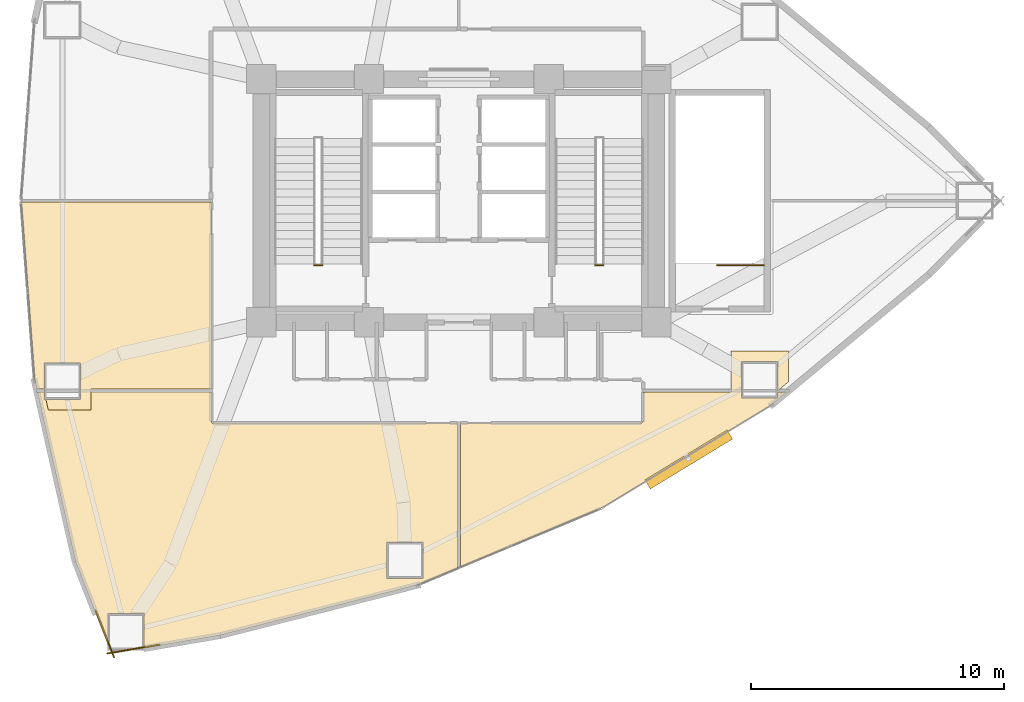
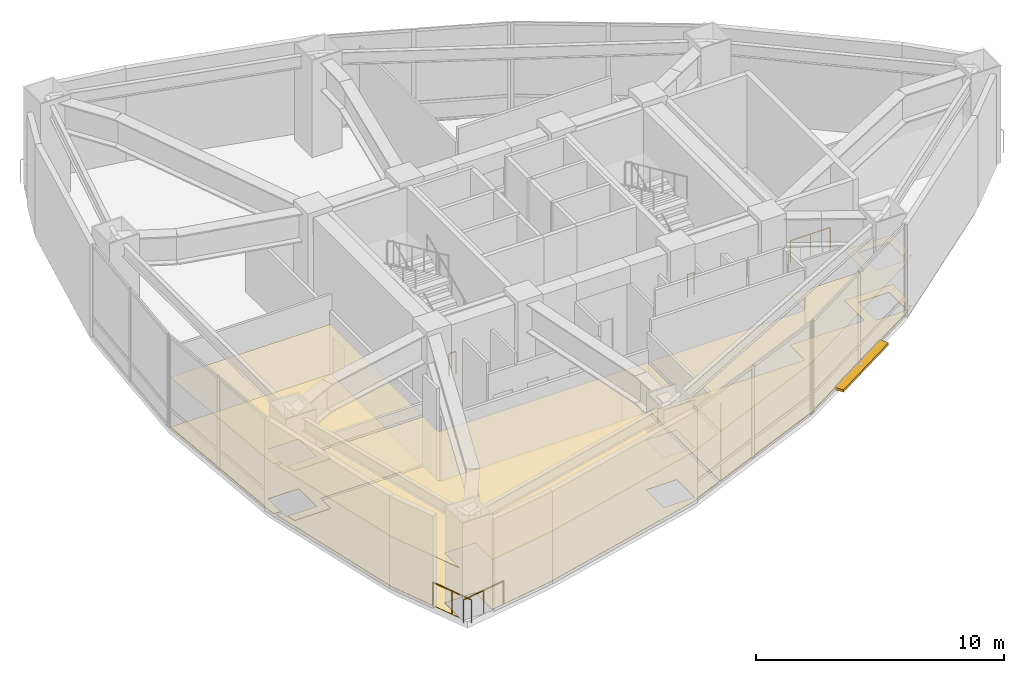
# One storey, part 18 of 19: 6 coverings, 5 railings, 1 shading device.
"""IFC4 building model written with IfcOpenShell, lengths in metres."""

from ifc_helpers import new_model, si_unit, direction, frame, origin, origin_2d, place, context, subcontext, project, spatial, polyline, rectangle, circle, outline, extrude, material, layer, layer_set, type_object, element, save


model = new_model("IFC4")

# Units and contexts
model_context = context("Model", 3, precision=1e-05, world=origin(), true_north=direction((0.0, 1.0)))
body_context = subcontext(model_context, "Body", "Model", "MODEL_VIEW")
ifc_project = project(units=[si_unit("LENGTHUNIT", "METRE"), si_unit("AREAUNIT", "SQUARE_METRE"), si_unit("VOLUMEUNIT", "CUBIC_METRE"), si_unit("PLANEANGLEUNIT", "RADIAN"), si_unit("MASSUNIT", "GRAM", prefix="KILO")], contexts=[model_context])

# Site, building, storey
site_placement = place(None, origin())
site = spatial("IfcSite", under=ifc_project, at=site_placement, CompositionType="ELEMENT")
building_placement = place(site_placement, origin())
building = spatial("IfcBuilding", under=site, at=building_placement, Name="Menara Vayukalpa", CompositionType="ELEMENT")
storey_placement = place(building_placement, frame((0.0, 0.0, 22.800048828125)))
storey = spatial("IfcBuildingStorey", under=building, at=storey_placement, Name="L04", CompositionType="ELEMENT", Elevation=22.800048828125)

# Coverings
ifc_material_1 = material(Name="Mineral Fibre Acoustic Ceiling Tile", Category="masonry")
ifc_layer_1 = layer(ifc_material_1, 0.02490234375)
ifc_layer_set_1 = layer_set([ifc_layer_1], Name="Mineral Fibre Acoustic Ceiling Tile")
covering_type_1 = type_object("IfcCoveringType", Name="COV-CLG1", PredefinedType="CEILING", material=ifc_layer_set_1)
covering_1_placement = place(storey_placement, frame((0.0, 0.0, 2.449951171875)))
element("IfcCovering", 1, at=covering_1_placement, inside=storey, type_object=covering_type_1, Name="L04 Corporate Learning Commons Acoustic Ceiling", PredefinedType="CEILING", context=body_context, shape_type="SweptSolid", body=[
    extrude(outline(polyline([(8.940185546875, 14.56005859375), (8.939208984375, 14.56005859375), (8.938232421875, 14.560302734375), (8.937255859375, 14.560302734375), (8.936279296875, 14.560791015625), (8.935546875, 14.56103515625), (8.934814453125, 14.5615234375), (8.93408203125, 14.562255859375), (8.93310546875, 14.562744140625), (8.9326171875, 14.5634765625), (8.931884765625, 14.564208984375), (8.931396484375, 14.565185546875), (8.930908203125, 14.56591796875), (8.9306640625, 14.56689453125), (8.930419921875, 14.56787109375), (8.862060546875, 14.871826171875), (8.86181640625, 14.873291015625), (8.33251953125, 21.92919921875), (8.33251953125, 21.93017578125), (8.332763671875, 21.93115234375), (8.332763671875, 21.93212890625), (8.3330078125, 21.93310546875), (8.33349609375, 21.93408203125), (8.333984375, 21.934814453125), (8.33447265625, 21.935791015625), (8.3349609375, 21.936279296875), (8.335693359375, 21.93701171875), (8.336181640625, 21.937744140625), (8.337158203125, 21.9384765625), (8.337890625, 21.93896484375), (8.3388671875, 21.939208984375), (8.339599609375, 21.939697265625), (8.3408203125, 21.939697265625), (8.341552734375, 21.93994140625), (8.342529296875, 21.93994140625), (15.820068359375, 21.93994140625), (15.821044921875, 21.93994140625), (15.822021484375, 21.939697265625), (15.822998046875, 21.939697265625), (15.82373046875, 21.939208984375), (15.82470703125, 21.938720703125), (15.82568359375, 21.938232421875), (15.826416015625, 21.937744140625), (15.8271484375, 21.93701171875), (15.82763671875, 21.936279296875), (15.828369140625, 21.935546875), (15.828857421875, 21.934814453125), (15.8291015625, 21.933837890625), (15.82958984375, 21.932861328125), (15.829833984375, 21.931884765625), (15.830078125, 21.930908203125), (15.830078125, 21.929931640625), (15.830078125, 14.570068359375), (15.830078125, 14.569091796875), (15.829833984375, 14.568115234375), (15.82958984375, 14.567138671875), (15.8291015625, 14.566162109375), (15.828857421875, 14.565185546875), (15.828369140625, 14.564453125), (15.82763671875, 14.563720703125), (15.8271484375, 14.56298828125), (15.826416015625, 14.562255859375), (15.82568359375, 14.561767578125), (15.82470703125, 14.561279296875), (15.82373046875, 14.560791015625), (15.822998046875, 14.560302734375), (15.822021484375, 14.560302734375), (15.821044921875, 14.56005859375), (15.820068359375, 14.56005859375), (11.0869140625, 14.56005859375), (11.0869140625, 13.736083984375), (9.394287109375, 13.736083984375), (9.2998046875, 14.156005859375), (10.6669921875, 14.156005859375), (10.6669921875, 15.586181640625), (9.237060546875, 15.586181640625), (9.237060546875, 14.435546875), (9.208984375, 14.56005859375), (8.940185546875, 14.56005859375)])), origin(), (0.0, 0.0, 1.0), 0.02490234375),
])
covering_2_placement = place(storey_placement, frame((0.0, 0.0, 2.449951171875)))
element("IfcCovering", 2, at=covering_2_placement, inside=storey, type_object=covering_type_1, Name="L04 Project Collaboration Workplace Acoustic Ceiling", PredefinedType="CEILING", context=body_context, shape_type="SweptSolid", body=[
    extrude(outline(polyline([(16.171142578125, 4.840087890625), (13.17529296875, 4.33154296875), (13.17529296875, 5.696044921875), (11.745361328125, 5.696044921875), (11.745361328125, 4.486328125), (10.4658203125, 7.744384765625), (10.465576171875, 7.7451171875), (10.46533203125, 7.745849609375), (8.9619140625, 14.427734375), (8.9619140625, 14.4287109375), (8.961669921875, 14.4296875), (8.961669921875, 14.430908203125), (8.9619140625, 14.431884765625), (8.962158203125, 14.4326171875), (8.96240234375, 14.43359375), (8.962890625, 14.4345703125), (8.96337890625, 14.435302734375), (8.9638671875, 14.436279296875), (8.964599609375, 14.43701171875), (8.96533203125, 14.437744140625), (8.966064453125, 14.438232421875), (8.966796875, 14.438720703125), (8.9677734375, 14.439208984375), (8.96875, 14.439697265625), (8.9697265625, 14.439697265625), (8.970703125, 14.43994140625), (8.9716796875, 14.43994140625), (9.236083984375, 14.43994140625), (9.129638671875, 14.91259765625), (9.047607421875, 16.006103515625), (11.0869140625, 16.006103515625), (11.0869140625, 14.43994140625), (15.820068359375, 14.43994140625), (15.821044921875, 14.43994140625), (15.822021484375, 14.439697265625), (15.822998046875, 14.439697265625), (15.82373046875, 14.439208984375), (15.82470703125, 14.438720703125), (15.82568359375, 14.438232421875), (15.826416015625, 14.437744140625), (15.8271484375, 14.43701171875), (15.82763671875, 14.436279296875), (15.828369140625, 14.435546875), (15.828857421875, 14.434814453125), (15.8291015625, 14.433837890625), (15.82958984375, 14.432861328125), (15.829833984375, 14.431884765625), (15.830078125, 14.430908203125), (15.830078125, 14.429931640625), (15.830078125, 13.290283203125), (15.830322265625, 13.283203125), (15.831298828125, 13.2763671875), (15.8330078125, 13.269775390625), (15.835205078125, 13.26318359375), (15.838134765625, 13.257080078125), (15.841796875, 13.251220703125), (15.845947265625, 13.24560546875), (15.8505859375, 13.240478515625), (15.85546875, 13.236083984375), (15.861083984375, 13.231689453125), (15.866943359375, 13.228271484375), (15.873291015625, 13.225341796875), (15.879638671875, 13.222900390625), (15.88623046875, 13.22119140625), (15.893310546875, 13.220458984375), (15.900390625, 13.219970703125), (25.530029296875, 13.219970703125), (25.531005859375, 13.219970703125), (25.531982421875, 13.2197265625), (25.532958984375, 13.219482421875), (25.53369140625, 13.21923828125), (25.53466796875, 13.21875), (25.53564453125, 13.21826171875), (25.536376953125, 13.2177734375), (25.537109375, 13.217041015625), (25.53759765625, 13.21630859375), (25.538330078125, 13.215576171875), (25.538818359375, 13.214599609375), (25.539306640625, 13.2138671875), (25.53955078125, 13.212890625), (25.539794921875, 13.2119140625), (25.5400390625, 13.2109375), (25.5400390625, 13.2099609375), (25.5400390625, 7.4921875), (25.5400390625, 7.4912109375), (25.539794921875, 7.490234375), (25.53955078125, 7.4892578125), (25.539306640625, 7.48828125), (25.538818359375, 7.487548828125), (25.538330078125, 7.48681640625), (25.53759765625, 7.48583984375), (25.537109375, 7.485107421875), (25.536376953125, 7.484619140625), (25.53564453125, 7.48388671875), (25.53466796875, 7.4833984375), (25.533935546875, 7.48291015625), (23.972412109375, 6.829833984375), (23.970947265625, 6.829345703125), (16.171875, 4.84033203125), (16.171142578125, 4.840087890625)]), holes=[polyline([(24.190673828125, 8.51513671875), (22.760498046875, 8.51513671875), (22.760498046875, 7.085205078125), (24.190673828125, 7.085205078125), (24.190673828125, 8.51513671875)]), polyline([(10.6669921875, 15.586181640625), (9.237060546875, 15.586181640625), (9.237060546875, 14.156005859375), (10.6669921875, 14.156005859375), (10.6669921875, 15.586181640625)])]), origin(), (0.0, 0.0, 1.0), 0.02490234375),
])
covering_3_placement = place(storey_placement, frame((0.0, 0.0, 2.449951171875)))
element("IfcCovering", 3, at=covering_3_placement, inside=storey, type_object=covering_type_1, Name="L04 Commercial Kitchen and Servery Acoustic Ceiling", PredefinedType="CEILING", context=body_context, shape_type="SweptSolid", body=[
    extrude(outline(polyline([(31.236083984375, 9.8681640625), (25.673828125, 7.54150390625), (25.6728515625, 7.541259765625), (25.672119140625, 7.541015625), (25.6708984375, 7.541015625), (25.669921875, 7.540771484375), (25.6689453125, 7.540771484375), (25.668212890625, 7.541015625), (25.6669921875, 7.541259765625), (25.666259765625, 7.54150390625), (25.665283203125, 7.5419921875), (25.66455078125, 7.54248046875), (25.663818359375, 7.543212890625), (25.662841796875, 7.543701171875), (25.662353515625, 7.54443359375), (25.66162109375, 7.545166015625), (25.6611328125, 7.546142578125), (25.660888671875, 7.547119140625), (25.660400390625, 7.5478515625), (25.66015625, 7.548828125), (25.659912109375, 7.5498046875), (25.659912109375, 7.55078125), (25.659912109375, 13.2099609375), (25.659912109375, 13.2109375), (25.66015625, 13.2119140625), (25.660400390625, 13.212890625), (25.660888671875, 13.2138671875), (25.6611328125, 13.214599609375), (25.66162109375, 13.215576171875), (25.662353515625, 13.21630859375), (25.662841796875, 13.217041015625), (25.663818359375, 13.2177734375), (25.664306640625, 13.21826171875), (25.665283203125, 13.21875), (25.666259765625, 13.21923828125), (25.6669921875, 13.219482421875), (25.66796875, 13.2197265625), (25.6689453125, 13.219970703125), (25.669921875, 13.219970703125), (32.7998046875, 13.219970703125), (32.806884765625, 13.220458984375), (32.813720703125, 13.22119140625), (32.8203125, 13.222900390625), (32.826904296875, 13.225341796875), (32.8330078125, 13.228271484375), (32.8388671875, 13.231689453125), (32.844482421875, 13.236083984375), (32.849609375, 13.240478515625), (32.85400390625, 13.24560546875), (32.858154296875, 13.251220703125), (32.86181640625, 13.257080078125), (32.86474609375, 13.26318359375), (32.866943359375, 13.269775390625), (32.86865234375, 13.2763671875), (32.86962890625, 13.283203125), (32.8701171875, 13.290283203125), (32.8701171875, 14.429931640625), (32.8701171875, 14.430908203125), (32.8701171875, 14.431884765625), (32.870361328125, 14.432861328125), (32.870849609375, 14.433837890625), (32.87109375, 14.434814453125), (32.87158203125, 14.435546875), (32.872314453125, 14.436279296875), (32.872802734375, 14.43701171875), (32.873779296875, 14.437744140625), (32.87451171875, 14.438232421875), (32.875244140625, 14.438720703125), (32.876220703125, 14.439208984375), (32.877197265625, 14.439697265625), (32.8779296875, 14.439697265625), (32.87890625, 14.43994140625), (32.8798828125, 14.43994140625), (36.339111328125, 14.43994140625), (36.339111328125, 16.064208984375), (38.60888671875, 16.064208984375), (38.60888671875, 14.83984375), (38.18896484375, 14.49169921875), (38.18896484375, 15.64404296875), (36.759033203125, 15.64404296875), (36.759033203125, 14.214111328125), (38.18896484375, 14.214111328125), (38.18896484375, 14.43994140625), (38.52197265625, 14.43994140625), (38.52294921875, 14.43994140625), (38.52392578125, 14.439697265625), (38.52490234375, 14.439697265625), (38.52587890625, 14.439208984375), (38.526611328125, 14.438720703125), (38.527587890625, 14.438232421875), (38.5283203125, 14.437744140625), (38.529052734375, 14.43701171875), (38.52978515625, 14.436279296875), (38.5302734375, 14.435546875), (38.53076171875, 14.434814453125), (38.53125, 14.433837890625), (38.531494140625, 14.432861328125), (38.53173828125, 14.431884765625), (38.531982421875, 14.430908203125), (38.531982421875, 14.429931640625), (38.531982421875, 14.42919921875), (38.53173828125, 14.427978515625), (38.531494140625, 14.427001953125), (38.53125, 14.42626953125), (38.53076171875, 14.42529296875), (38.5302734375, 14.424560546875), (38.52978515625, 14.423583984375), (38.529052734375, 14.423095703125), (38.5283203125, 14.42236328125), (37.968017578125, 13.95751953125), (37.966796875, 13.956787109375), (31.2373046875, 9.868896484375), (31.23681640625, 9.868408203125), (31.236083984375, 9.8681640625)])), origin(), (0.0, 0.0, 1.0), 0.02490234375),
])
ifc_material_2 = material(Name="Porcelain Stoneware Floor Tile", Category="masonry")
ifc_layer_2 = layer(ifc_material_2, 0.02001953125)
ifc_layer_set_2 = layer_set([ifc_layer_2], Name="Porcelain Stoneware Floor Tile")
covering_type_2 = type_object("IfcCoveringType", Name="COV-FLR1", PredefinedType="FLOORING", material=ifc_layer_set_2)
covering_4_placement = place(storey_placement, origin())
element("IfcCovering", 4, at=covering_4_placement, inside=storey, type_object=covering_type_2, Name="L04 Corporate Learning Commons Porcelain Flooring", PredefinedType="FLOORING", context=body_context, shape_type="SweptSolid", body=[
    extrude(outline(polyline([(8.940185546875, 14.56005859375), (8.939208984375, 14.56005859375), (8.938232421875, 14.560302734375), (8.937255859375, 14.560302734375), (8.936279296875, 14.560791015625), (8.935546875, 14.56103515625), (8.934814453125, 14.5615234375), (8.93408203125, 14.562255859375), (8.93310546875, 14.562744140625), (8.9326171875, 14.5634765625), (8.931884765625, 14.564208984375), (8.931396484375, 14.565185546875), (8.930908203125, 14.56591796875), (8.9306640625, 14.56689453125), (8.930419921875, 14.56787109375), (8.862060546875, 14.871826171875), (8.86181640625, 14.873291015625), (8.33251953125, 21.92919921875), (8.33251953125, 21.93017578125), (8.332763671875, 21.93115234375), (8.332763671875, 21.93212890625), (8.3330078125, 21.93310546875), (8.33349609375, 21.93408203125), (8.333984375, 21.934814453125), (8.33447265625, 21.935791015625), (8.3349609375, 21.936279296875), (8.335693359375, 21.93701171875), (8.336181640625, 21.937744140625), (8.337158203125, 21.9384765625), (8.337890625, 21.93896484375), (8.3388671875, 21.939208984375), (8.339599609375, 21.939697265625), (8.3408203125, 21.939697265625), (8.341552734375, 21.93994140625), (8.342529296875, 21.93994140625), (15.820068359375, 21.93994140625), (15.821044921875, 21.93994140625), (15.822021484375, 21.939697265625), (15.822998046875, 21.939697265625), (15.82373046875, 21.939208984375), (15.82470703125, 21.938720703125), (15.82568359375, 21.938232421875), (15.826416015625, 21.937744140625), (15.8271484375, 21.93701171875), (15.82763671875, 21.936279296875), (15.828369140625, 21.935546875), (15.828857421875, 21.934814453125), (15.8291015625, 21.933837890625), (15.82958984375, 21.932861328125), (15.829833984375, 21.931884765625), (15.830078125, 21.930908203125), (15.830078125, 21.929931640625), (15.830078125, 14.570068359375), (15.830078125, 14.569091796875), (15.829833984375, 14.568115234375), (15.82958984375, 14.567138671875), (15.8291015625, 14.566162109375), (15.828857421875, 14.565185546875), (15.828369140625, 14.564453125), (15.82763671875, 14.563720703125), (15.8271484375, 14.56298828125), (15.826416015625, 14.562255859375), (15.82568359375, 14.561767578125), (15.82470703125, 14.561279296875), (15.82373046875, 14.560791015625), (15.822998046875, 14.560302734375), (15.822021484375, 14.560302734375), (15.821044921875, 14.56005859375), (15.820068359375, 14.56005859375), (11.0869140625, 14.56005859375), (11.0869140625, 13.736083984375), (9.394287109375, 13.736083984375), (9.2998046875, 14.156005859375), (10.6669921875, 14.156005859375), (10.6669921875, 15.586181640625), (9.237060546875, 15.586181640625), (9.237060546875, 14.435546875), (9.208984375, 14.56005859375), (8.940185546875, 14.56005859375)])), origin(), (0.0, 0.0, 1.0), 0.02001953125),
])
covering_5_placement = place(storey_placement, origin())
element("IfcCovering", 5, at=covering_5_placement, inside=storey, type_object=covering_type_2, Name="L04 Project Collaboration Workplace Porcelain Flooring", PredefinedType="FLOORING", context=body_context, shape_type="SweptSolid", body=[
    extrude(outline(polyline([(16.171142578125, 4.840087890625), (13.17529296875, 4.33154296875), (13.17529296875, 5.696044921875), (11.745361328125, 5.696044921875), (11.745361328125, 4.486328125), (10.4658203125, 7.744384765625), (10.465576171875, 7.7451171875), (10.46533203125, 7.745849609375), (8.9619140625, 14.427734375), (8.9619140625, 14.4287109375), (8.961669921875, 14.4296875), (8.961669921875, 14.430908203125), (8.9619140625, 14.431884765625), (8.962158203125, 14.4326171875), (8.96240234375, 14.43359375), (8.962890625, 14.4345703125), (8.96337890625, 14.435302734375), (8.9638671875, 14.436279296875), (8.964599609375, 14.43701171875), (8.96533203125, 14.437744140625), (8.966064453125, 14.438232421875), (8.966796875, 14.438720703125), (8.9677734375, 14.439208984375), (8.96875, 14.439697265625), (8.9697265625, 14.439697265625), (8.970703125, 14.43994140625), (8.9716796875, 14.43994140625), (9.236083984375, 14.43994140625), (9.129638671875, 14.91259765625), (9.047607421875, 16.006103515625), (11.0869140625, 16.006103515625), (11.0869140625, 14.43994140625), (15.820068359375, 14.43994140625), (15.821044921875, 14.43994140625), (15.822021484375, 14.439697265625), (15.822998046875, 14.439697265625), (15.82373046875, 14.439208984375), (15.82470703125, 14.438720703125), (15.82568359375, 14.438232421875), (15.826416015625, 14.437744140625), (15.8271484375, 14.43701171875), (15.82763671875, 14.436279296875), (15.828369140625, 14.435546875), (15.828857421875, 14.434814453125), (15.8291015625, 14.433837890625), (15.82958984375, 14.432861328125), (15.829833984375, 14.431884765625), (15.830078125, 14.430908203125), (15.830078125, 14.429931640625), (15.830078125, 13.290283203125), (15.830322265625, 13.283203125), (15.831298828125, 13.2763671875), (15.8330078125, 13.269775390625), (15.835205078125, 13.26318359375), (15.838134765625, 13.257080078125), (15.841796875, 13.251220703125), (15.845947265625, 13.24560546875), (15.8505859375, 13.240478515625), (15.85546875, 13.236083984375), (15.861083984375, 13.231689453125), (15.866943359375, 13.228271484375), (15.873291015625, 13.225341796875), (15.879638671875, 13.222900390625), (15.88623046875, 13.22119140625), (15.893310546875, 13.220458984375), (15.900390625, 13.219970703125), (25.530029296875, 13.219970703125), (25.531005859375, 13.219970703125), (25.531982421875, 13.2197265625), (25.532958984375, 13.219482421875), (25.53369140625, 13.21923828125), (25.53466796875, 13.21875), (25.53564453125, 13.21826171875), (25.536376953125, 13.2177734375), (25.537109375, 13.217041015625), (25.53759765625, 13.21630859375), (25.538330078125, 13.215576171875), (25.538818359375, 13.214599609375), (25.539306640625, 13.2138671875), (25.53955078125, 13.212890625), (25.539794921875, 13.2119140625), (25.5400390625, 13.2109375), (25.5400390625, 13.2099609375), (25.5400390625, 7.4921875), (25.5400390625, 7.4912109375), (25.539794921875, 7.490234375), (25.53955078125, 7.4892578125), (25.539306640625, 7.48828125), (25.538818359375, 7.487548828125), (25.538330078125, 7.48681640625), (25.53759765625, 7.48583984375), (25.537109375, 7.485107421875), (25.536376953125, 7.484619140625), (25.53564453125, 7.48388671875), (25.53466796875, 7.4833984375), (25.533935546875, 7.48291015625), (23.972412109375, 6.829833984375), (23.970947265625, 6.829345703125), (16.171875, 4.84033203125), (16.171142578125, 4.840087890625)]), holes=[polyline([(24.190673828125, 8.51513671875), (22.760498046875, 8.51513671875), (22.760498046875, 7.085205078125), (24.190673828125, 7.085205078125), (24.190673828125, 8.51513671875)]), polyline([(10.6669921875, 15.586181640625), (9.237060546875, 15.586181640625), (9.237060546875, 14.156005859375), (10.6669921875, 14.156005859375), (10.6669921875, 15.586181640625)])]), origin(), (0.0, 0.0, 1.0), 0.02001953125),
])
covering_6_placement = place(storey_placement, origin())
element("IfcCovering", 6, at=covering_6_placement, inside=storey, type_object=covering_type_2, Name="L04 Commercial Kitchen and Servery Porcelain Flooring", PredefinedType="FLOORING", context=body_context, shape_type="SweptSolid", body=[
    extrude(outline(polyline([(31.236083984375, 9.8681640625), (25.673828125, 7.54150390625), (25.6728515625, 7.541259765625), (25.672119140625, 7.541015625), (25.6708984375, 7.541015625), (25.669921875, 7.540771484375), (25.6689453125, 7.540771484375), (25.668212890625, 7.541015625), (25.6669921875, 7.541259765625), (25.666259765625, 7.54150390625), (25.665283203125, 7.5419921875), (25.66455078125, 7.54248046875), (25.663818359375, 7.543212890625), (25.662841796875, 7.543701171875), (25.662353515625, 7.54443359375), (25.66162109375, 7.545166015625), (25.6611328125, 7.546142578125), (25.660888671875, 7.547119140625), (25.660400390625, 7.5478515625), (25.66015625, 7.548828125), (25.659912109375, 7.5498046875), (25.659912109375, 7.55078125), (25.659912109375, 13.2099609375), (25.659912109375, 13.2109375), (25.66015625, 13.2119140625), (25.660400390625, 13.212890625), (25.660888671875, 13.2138671875), (25.6611328125, 13.214599609375), (25.66162109375, 13.215576171875), (25.662353515625, 13.21630859375), (25.662841796875, 13.217041015625), (25.663818359375, 13.2177734375), (25.664306640625, 13.21826171875), (25.665283203125, 13.21875), (25.666259765625, 13.21923828125), (25.6669921875, 13.219482421875), (25.66796875, 13.2197265625), (25.6689453125, 13.219970703125), (25.669921875, 13.219970703125), (32.7998046875, 13.219970703125), (32.806884765625, 13.220458984375), (32.813720703125, 13.22119140625), (32.8203125, 13.222900390625), (32.826904296875, 13.225341796875), (32.8330078125, 13.228271484375), (32.8388671875, 13.231689453125), (32.844482421875, 13.236083984375), (32.849609375, 13.240478515625), (32.85400390625, 13.24560546875), (32.858154296875, 13.251220703125), (32.86181640625, 13.257080078125), (32.86474609375, 13.26318359375), (32.866943359375, 13.269775390625), (32.86865234375, 13.2763671875), (32.86962890625, 13.283203125), (32.8701171875, 13.290283203125), (32.8701171875, 14.429931640625), (32.8701171875, 14.430908203125), (32.8701171875, 14.431884765625), (32.870361328125, 14.432861328125), (32.870849609375, 14.433837890625), (32.87109375, 14.434814453125), (32.87158203125, 14.435546875), (32.872314453125, 14.436279296875), (32.872802734375, 14.43701171875), (32.873779296875, 14.437744140625), (32.87451171875, 14.438232421875), (32.875244140625, 14.438720703125), (32.876220703125, 14.439208984375), (32.877197265625, 14.439697265625), (32.8779296875, 14.439697265625), (32.87890625, 14.43994140625), (32.8798828125, 14.43994140625), (36.339111328125, 14.43994140625), (36.339111328125, 16.064208984375), (38.60888671875, 16.064208984375), (38.60888671875, 14.83984375), (38.18896484375, 14.49169921875), (38.18896484375, 15.64404296875), (36.759033203125, 15.64404296875), (36.759033203125, 14.214111328125), (38.18896484375, 14.214111328125), (38.18896484375, 14.43994140625), (38.52197265625, 14.43994140625), (38.52294921875, 14.43994140625), (38.52392578125, 14.439697265625), (38.52490234375, 14.439697265625), (38.52587890625, 14.439208984375), (38.526611328125, 14.438720703125), (38.527587890625, 14.438232421875), (38.5283203125, 14.437744140625), (38.529052734375, 14.43701171875), (38.52978515625, 14.436279296875), (38.5302734375, 14.435546875), (38.53076171875, 14.434814453125), (38.53125, 14.433837890625), (38.531494140625, 14.432861328125), (38.53173828125, 14.431884765625), (38.531982421875, 14.430908203125), (38.531982421875, 14.429931640625), (38.531982421875, 14.42919921875), (38.53173828125, 14.427978515625), (38.531494140625, 14.427001953125), (38.53125, 14.42626953125), (38.53076171875, 14.42529296875), (38.5302734375, 14.424560546875), (38.52978515625, 14.423583984375), (38.529052734375, 14.423095703125), (38.5283203125, 14.42236328125), (37.968017578125, 13.95751953125), (37.966796875, 13.956787109375), (31.2373046875, 9.868896484375), (31.23681640625, 9.868408203125), (31.236083984375, 9.8681640625)])), origin(), (0.0, 0.0, 1.0), 0.02001953125),
])

# Railings
ifc_material_3 = material(Name="Laminated Glass and Stainless Steel 316 Guardrail", Category="steel")
railing_type_1 = type_object("IfcRailingType", Name="RLG-EXT115", PredefinedType="GUARDRAIL", material=ifc_material_3)
railing_1_placement = place(storey_placement, frame((11.263916015625, 5.82177734375, 0.0)))
element("IfcRailing", 7, at=railing_1_placement, inside=storey, type_object=railing_type_1, Name="L04 Column Corner Spandrel Guardrail 13-1", PredefinedType="GUARDRAIL", context=body_context, shape_type="SweptSolid", body=[
    extrude(circle(Radius=0.02392578125, at=origin_2d()), frame((0.0, 0.0, 1.1259765625), z_axis=(0.365580158762, -0.930779859859, 0.0), x_axis=(0.930779859859, 0.365580158762, 0.0)), (0.0, 0.0, 1.0), 1.9873046875),
    extrude(circle(Radius=0.02099609375, at=origin_2d()), origin(), (0.0, 0.0, 1.0), 1.101806640625),
    extrude(circle(Radius=0.02099609375, at=origin_2d()), frame((0.36328125, -0.9248046875, 0.0)), (0.0, 0.0, 1.0), 1.101806640625),
    extrude(circle(Radius=0.02099609375, at=origin_2d()), frame((0.7265625, -1.849853515625, 0.0)), (0.0, 0.0, 1.0), 1.101806640625),
])
railing_2_placement = place(storey_placement, frame((11.71923828125, 4.125, 0.0)))
element("IfcRailing", 8, at=railing_2_placement, inside=storey, type_object=railing_type_1, Name="L04 Column Corner Spandrel Guardrail 14-1", PredefinedType="GUARDRAIL", context=body_context, shape_type="SweptSolid", body=[
    extrude(circle(Radius=0.02392578125, at=origin_2d()), frame((0.0, 0.0, 1.1259765625), z_axis=(0.985904350491, 0.167309927029, 0.0), x_axis=(-0.167309927029, 0.985904350491, 0.0)), (0.0, 0.0, 1.0), 2.093994140625),
    extrude(circle(Radius=0.02099609375, at=origin_2d()), origin(), (0.0, 0.0, 1.0), 1.101806640625),
    extrude(circle(Radius=0.02099609375, at=origin_2d()), frame((1.0322265625, 0.17529296875, 0.0)), (0.0, 0.0, 1.0), 1.101806640625),
    extrude(circle(Radius=0.02099609375, at=origin_2d()), frame((2.064453125, 0.350341796875, 0.0)), (0.0, 0.0, 1.0), 1.101806640625),
])
ifc_material_4 = material(Name="Powder-Coated Galvanised Steel Guardrail", Category="steel")
railing_type_2 = type_object("IfcRailingType", Name="RLG-STG110", PredefinedType="GUARDRAIL", material=ifc_material_4)
for number, where, name in (
    (9, (20.2099609375, 19.449951171875, 0.0), "L04 ST-1 stair guard 4"),
    (10, (31.31005859375, 19.449951171875, 0.0), "L04 ST-2 stair guard 4"),
):
    element("IfcRailing", number, at=place(storey_placement, frame(where)), inside=storey, type_object=railing_type_2, Name=name, PredefinedType="GUARDRAIL", context=body_context, shape_type="SweptSolid", body=[
        extrude(circle(Radius=0.02392578125, at=origin_2d()), frame((0.0, 0.0, 1.09619140625), z_axis=(-1.0, 0.0, 0.0), x_axis=(0.0, -1.0, 0.0)), (0.0, 0.0, 1.0), 0.320068359375),
        extrude(circle(Radius=0.02099609375, at=origin_2d()), origin(), (0.0, 0.0, 1.0), 1.072021484375),
        extrude(circle(Radius=0.02099609375, at=origin_2d()), frame((-0.320068359375, 0.0, 0.0)), (0.0, 0.0, 1.0), 1.072021484375),
    ])
railing_3_placement = place(storey_placement, frame((37.64990234375, 19.449951171875, 0.0)))
element("IfcRailing", 11, at=railing_3_placement, inside=storey, type_object=railing_type_2, Name="L04 ST-3 top well guard 1", PredefinedType="GUARDRAIL", context=body_context, shape_type="SweptSolid", body=[
    extrude(circle(Radius=0.02392578125, at=origin_2d()), frame((0.0, 0.0, 1.09619140625), z_axis=(-1.0, 0.0, 0.0), x_axis=(0.0, -1.0, 0.0)), (0.0, 0.0, 1.0), 1.849853515625),
    extrude(circle(Radius=0.02099609375, at=origin_2d()), origin(), (0.0, 0.0, 1.0), 1.072021484375),
    extrude(circle(Radius=0.02099609375, at=origin_2d()), frame((-0.9248046875, 0.0, 0.0)), (0.0, 0.0, 1.0), 1.072021484375),
    extrude(circle(Radius=0.02099609375, at=origin_2d()), frame((-1.849853515625, 0.0, 0.0)), (0.0, 0.0, 1.0), 1.072021484375),
])

# Shading device
ifc_material_5 = material(Name="Glazed Terracotta Ceramic Baguette Extrusion", Category="masonry")
ifc_layer_3 = layer(ifc_material_5, 0.1201171875)
ifc_layer_set_3 = layer_set([ifc_layer_3], Name="Glazed Terracotta Ceramic Baguette Extrusion")
shading_device_type = type_object("IfcShadingDeviceType", Name="SHD-SS1", PredefinedType="USERDEFINED", material=ifc_layer_set_3)
shading_device_placement = place(storey_placement, frame((34.679931640625, 11.784423828125, -0.10009765625), z_axis=(0.0, 0.0, 1.0), x_axis=(0.85466730962, 0.519176068272, 0.0)))
element("IfcShadingDevice", 12, at=shading_device_placement, inside=storey, type_object=shading_device_type, Name="L04 Horizontal Terracotta Sunshade Band 17", ObjectType="SUNSHADE", PredefinedType="USERDEFINED", context=body_context, shape_type="SweptSolid", body=[
    extrude(rectangle(XDim=3.800048828125, YDim=0.419921875, at=origin_2d()), origin(), (0.0, 0.0, 1.0), 0.1201171875),
])

save(model, "model.ifc")
